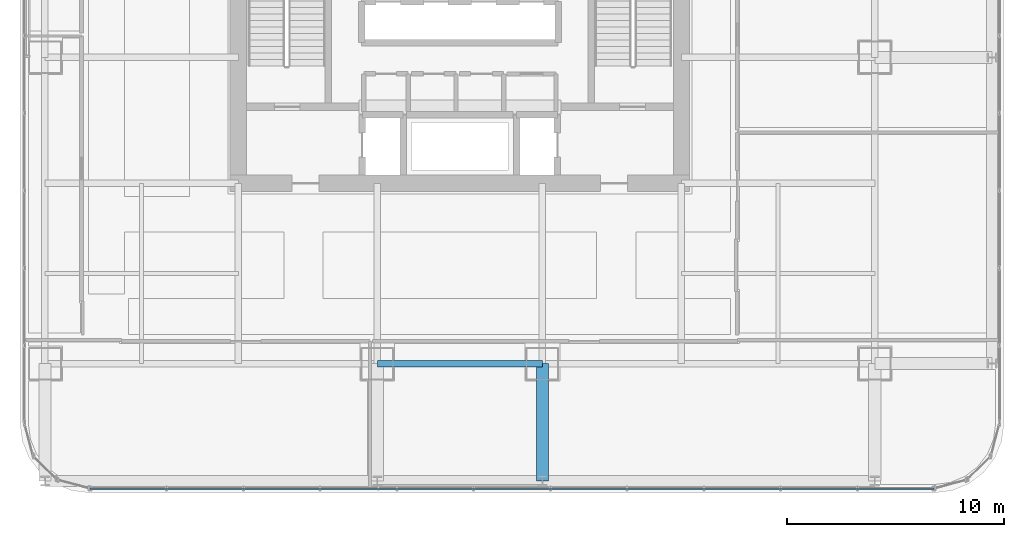
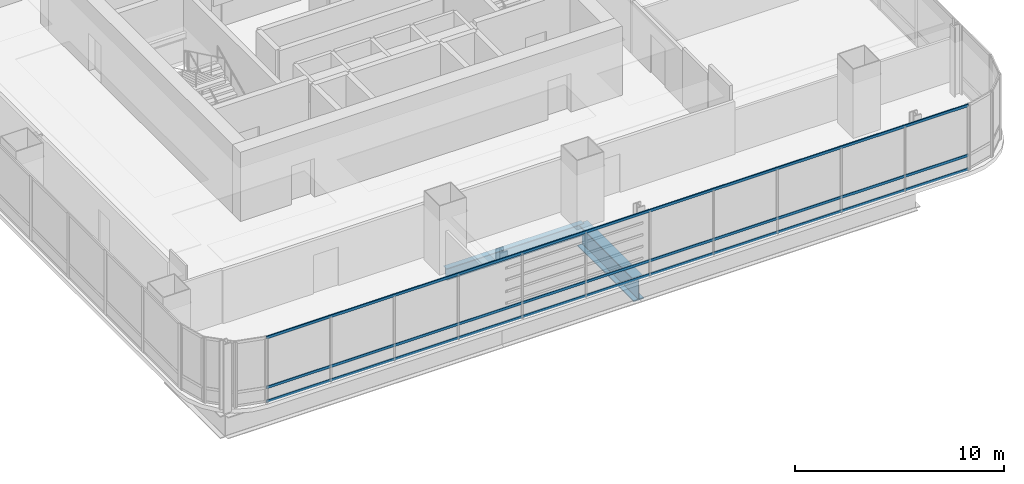
# One storey, part 5 of 35: 3 members, 2 beams, 1 element without a shape of its own.
"""IFC4 building model written with IfcOpenShell, lengths in metres."""

from ifc_helpers import new_model, si_unit, direction, frame, origin, origin_2d, place, context, subcontext, project, spatial, hollow_rectangle, i_section, extrude, material, material_profile, profile_set, type_object, element, aggregate, save


model = new_model("IFC4")

# Units and contexts
model_context = context("Model", 3, precision=1e-05, world=origin(), true_north=direction((0.0, 1.0)))
body_context = subcontext(model_context, "Body", "Model", "MODEL_VIEW")
ifc_project = project(units=[si_unit("LENGTHUNIT", "METRE"), si_unit("AREAUNIT", "SQUARE_METRE"), si_unit("VOLUMEUNIT", "CUBIC_METRE"), si_unit("PLANEANGLEUNIT", "RADIAN"), si_unit("MASSUNIT", "GRAM", prefix="KILO")], contexts=[model_context])

# Site, building, storey
site_placement = place(None, origin())
site = spatial("IfcSite", under=ifc_project, at=site_placement, CompositionType="ELEMENT")
building_placement = place(site_placement, origin())
building = spatial("IfcBuilding", under=site, at=building_placement, Name="Punatoya Terracotta Tower", CompositionType="ELEMENT")
storey_placement = place(building_placement, frame((0.0, 0.0, 68.699951171875)))
storey = spatial("IfcBuildingStorey", under=building, at=storey_placement, Name="L15", CompositionType="ELEMENT", Elevation=68.699951171875)

# Beams
ifc_material_1 = material(Name="Steel S355", Category="steel")
ifc_material_profile_1 = material_profile(ifc_material_1, i_section(OverallWidth=0.300048828125, OverallDepth=0.699951171875, WebThickness=0.01708984375, FlangeThickness=0.031982421875, FilletRadius=0.01806640625, at=origin_2d()))
ifc_profile_set_1 = profile_set([ifc_material_profile_1], Name="Steel S355")
beam_type_1 = type_object("IfcBeamType", Name="BM-PRI-700", PredefinedType="BEAM", material=ifc_profile_set_1)
beam_1_placement = place(storey_placement, frame((-3.800048828125, -17.5, -0.58984375), z_axis=(1.0, 0.0, 0.0), x_axis=(0.0, 1.0, 0.0)))
element("IfcBeam", 1, at=beam_1_placement, inside=storey, type_object=beam_type_1, Name="BM-L15-RG-S2", PredefinedType="BEAM", context=body_context, shape_type="SweptSolid", body=[
    extrude(i_section(OverallWidth=0.300048828125, OverallDepth=0.699951171875, WebThickness=0.01708984375, FlangeThickness=0.031982421875, FilletRadius=0.01806640625, at=origin_2d()), origin(), (0.0, 0.0, 1.0), 7.60009765625),
])
ifc_material_2 = material(Name="Steel S460", Category="steel")
ifc_material_profile_2 = material_profile(ifc_material_2, i_section(OverallWidth=0.56005859375, OverallDepth=1.320068359375, WebThickness=0.035888671875, FlangeThickness=0.054931640625, FilletRadius=0.01806640625, at=origin_2d()))
ifc_profile_set_2 = profile_set([ifc_material_profile_2], Name="Steel S460")
beam_type_2 = type_object("IfcBeamType", Name="BM-TG-BLK", PredefinedType="BEAM", material=ifc_profile_set_2)
beam_2_placement = place(storey_placement, frame((3.800048828125, -22.89990234375, -0.89990234375), z_axis=(0.0, 1.0, 0.0), x_axis=(-1.0, 0.0, 0.0)))
element("IfcBeam", 2, at=beam_2_placement, inside=storey, type_object=beam_type_2, Name="BM-L15-CANT-S3", PredefinedType="BEAM", context=body_context, shape_type="SweptSolid", body=[
    extrude(i_section(OverallWidth=0.56005859375, OverallDepth=1.320068359375, WebThickness=0.035888671875, FlangeThickness=0.054931640625, FilletRadius=0.01806640625, at=origin_2d()), origin(), (0.0, 0.0, 1.0), 5.39990234375),
])

# Curtain wall, members
ifc_material_3 = material(Name="Aluminium 6063-T6 + Double Low-E Glass", Category="aluminium")
curtain_wall_type = type_object("IfcCurtainWallType", Name="CW-M1", PredefinedType="NOTDEFINED", material=ifc_material_3)
curtain_wall_placement = place(storey_placement, origin())
curtain_wall = element("IfcCurtainWall", 3, at=curtain_wall_placement, inside=storey, type_object=curtain_wall_type, Name="L15 Curtain Wall CW-L15-S01-1", PredefinedType="NOTDEFINED")
ifc_material_4 = material(Name="Aluminium 6063-T6", Category="aluminium")
ifc_material_profile_3 = material_profile(ifc_material_4, hollow_rectangle(XDim=0.068115234375, YDim=0.14990234375, WallThickness=0.00390625, at=origin_2d()))
ifc_profile_set_3 = profile_set([ifc_material_profile_3], Name="Aluminium 6063-T6")
member_type = type_object("IfcMemberType", Name="CW-TRN-TYP", PredefinedType="USERDEFINED", material=ifc_profile_set_3)
member_1_placement = place(storey_placement, frame((-17.036865234375, -23.25, 0.0400390625), z_axis=(1.0, 0.0, 0.0), x_axis=(0.0, 1.0, 0.0)))
member_1 = element("IfcMember", 4, at=member_1_placement, type_object=member_type, Name="CW-L15-S01-1 Transom 1", ObjectType="TRANSOM", PredefinedType="USERDEFINED", context=body_context, shape_type="SweptSolid", body=[
    extrude(hollow_rectangle(XDim=0.068115234375, YDim=0.14990234375, WallThickness=0.00390625, at=origin_2d()), origin(), (0.0, 0.0, 1.0), 38.873779296875),
])
member_2_placement = place(storey_placement, frame((-17.036865234375, -23.25, 0.85009765625), z_axis=(1.0, 0.0, 0.0), x_axis=(0.0, 1.0, 0.0)))
member_2 = element("IfcMember", 5, at=member_2_placement, type_object=member_type, Name="CW-L15-S01-1 Transom 2", ObjectType="TRANSOM", PredefinedType="USERDEFINED", context=body_context, shape_type="SweptSolid", body=[
    extrude(hollow_rectangle(XDim=0.068115234375, YDim=0.14990234375, WallThickness=0.00390625, at=origin_2d()), origin(), (0.0, 0.0, 1.0), 38.873779296875),
])
member_3_placement = place(storey_placement, frame((-17.036865234375, -23.25, 3.77001953125), z_axis=(1.0, 0.0, 0.0), x_axis=(0.0, 1.0, 0.0)))
member_3 = element("IfcMember", 6, at=member_3_placement, type_object=member_type, Name="CW-L15-S01-1 Transom 3", ObjectType="TRANSOM", PredefinedType="USERDEFINED", context=body_context, shape_type="SweptSolid", body=[
    extrude(hollow_rectangle(XDim=0.068115234375, YDim=0.14990234375, WallThickness=0.00390625, at=origin_2d()), origin(), (0.0, 0.0, 1.0), 38.873779296875),
])
aggregate(curtain_wall, [member_1, member_2, member_3])

save(model, "model.ifc")
